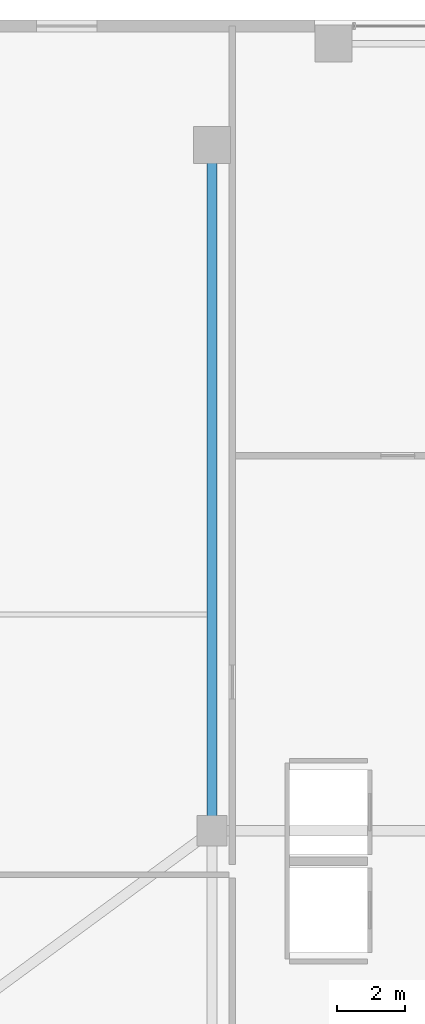
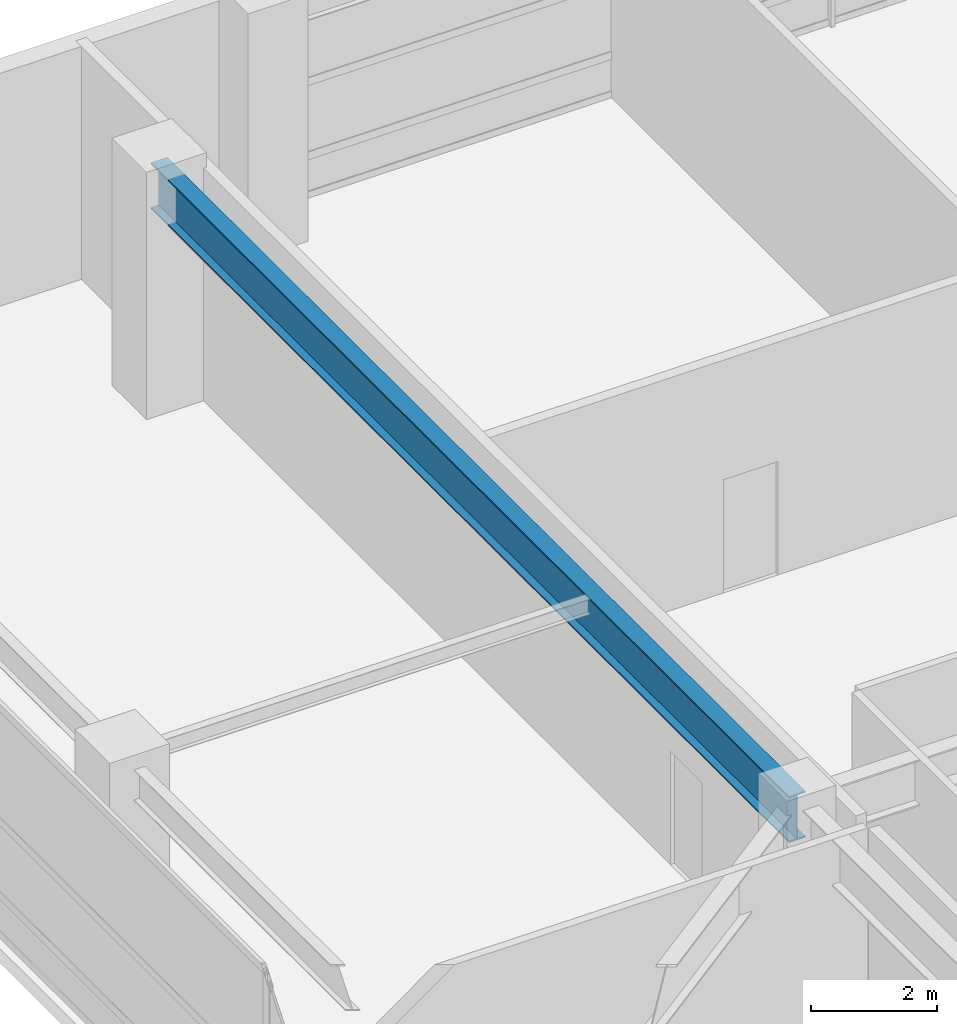
# One storey, part 18 of 39: 1 beam.
"""IFC4 building model written with IfcOpenShell, lengths in metres."""

from ifc_helpers import new_model, si_unit, direction, frame, origin, origin_2d, place, context, subcontext, project, spatial, i_section, extrude, source, transform, mapped, material, material_profile, profile_set, type_object, element, save


model = new_model("IFC4")

# Units and contexts
model_context = context("Model", 3, precision=1e-05, world=origin(), true_north=direction((0.0, 1.0)))
body_context = subcontext(model_context, "Body", "Model", "MODEL_VIEW")
ifc_project = project(units=[si_unit("LENGTHUNIT", "METRE"), si_unit("AREAUNIT", "SQUARE_METRE"), si_unit("VOLUMEUNIT", "CUBIC_METRE"), si_unit("PLANEANGLEUNIT", "RADIAN"), si_unit("MASSUNIT", "GRAM", prefix="KILO"), si_unit("THERMODYNAMICTEMPERATUREUNIT", "KELVIN"), si_unit("POWERUNIT", "WATT")], contexts=[model_context])

# Site, building, storey
site_placement = place(None, origin())
site = spatial("IfcSite", under=ifc_project, at=site_placement, CompositionType="ELEMENT")
building_placement = place(site_placement, origin())
building = spatial("IfcBuilding", under=site, at=building_placement, Name="Yuzanri Waterfront Tower", CompositionType="ELEMENT")
storey_placement = place(building_placement, frame((0.0, 0.0, 15.0)))
storey = spatial("IfcBuildingStorey", under=building, at=storey_placement, Name="L04", CompositionType="ELEMENT", Elevation=15.0)

# Beam
ifc_material = material(Name="Steel Q355B", Category="steel")
ifc_material_profile = material_profile(ifc_material, i_section(OverallWidth=0.300048828125, OverallDepth=0.89990234375, WebThickness=0.01611328125, FlangeThickness=0.028076171875, at=origin_2d()), Name="HN 900x300x16x28")
ifc_profile_set = profile_set([ifc_material_profile], Name="Steel Q355B")
beam_type = type_object("IfcBeamType", Name="Primary Podium Girder Q355B HN 900x300", PredefinedType="BEAM", material=ifc_profile_set)
shared_shape = source(origin(), body_context, "Body", "SweptSolid", [
    extrude(i_section(OverallWidth=0.300048828125, OverallDepth=0.89990234375, WebThickness=0.01611328125, FlangeThickness=0.028076171875, at=origin_2d()), origin(), (0.0, 0.0, 1.0), 20.300048828125),
])
beam_placement = place(storey_placement, frame((11.89990234375, 25.800048828125, 4.070068359375), z_axis=(0.0, 1.0, 0.0), x_axis=(-1.0, 0.0, 0.0)))
element("IfcBeam", 1, at=beam_placement, inside=storey, type_object=beam_type, Name="L04 Podium Spine Girder N", PredefinedType="BEAM", context=body_context, shape_type="MappedRepresentation", body=[
    mapped(shared_shape, transform((0.0, 0.0, 0.0), scale=1.0)),
])

save(model, "model.ifc")
